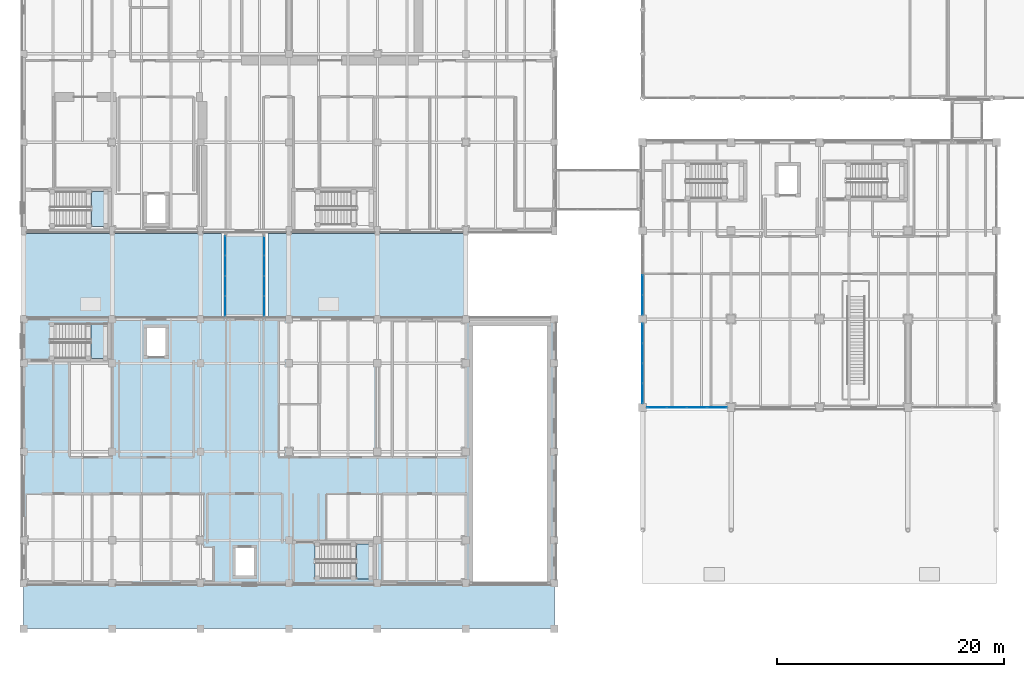
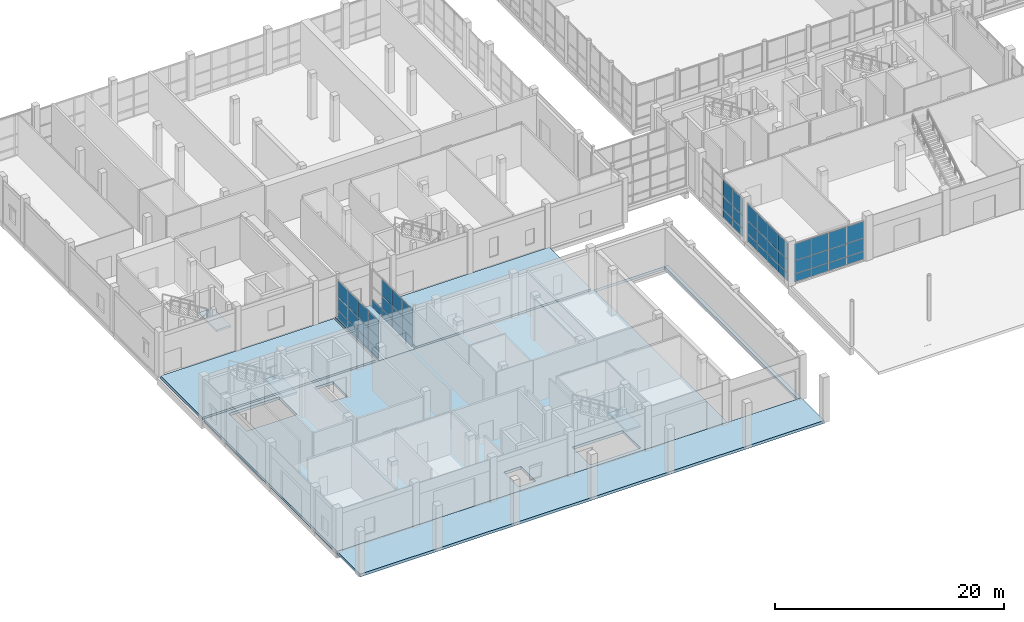
# One storey, part 71 of 131: 52 plates, 8 slabs, 8 elements without a shape of their own.
"""IFC4 building model written with IfcOpenShell, lengths in metres."""

import ifcopenshell
import ifcopenshell.guid

model = None  # the IFC model being written
_history = None  # IfcOwnerHistory: only IFC2X3 demands one
_inside = {}  # id of a spatial element -> (the spatial element, [elements in it])
_under = {}  # id of a project, library or spatial element -> (it, [spatial elements below it])
_declared = {}  # id of a project -> (the project, [libraries it declares])
_typed = {}  # id of a type object -> (the type object, [elements of that type])
_made_of = {}  # id of a material, layer set ... -> (it, [elements and type objects made of it])


def new_model(schema):
    """Start an empty IFC model of exactly this schema.

    Asked for "IFC4X3", IfcOpenShell would pick the latest addendum, in which some entities
    have other attributes; the version numbers below select the first issue.
    IFC2X3 requires an IfcOwnerHistory on every rooted entity: one is made here for all.
    """
    global model, _history
    if schema == "IFC4X3":
        model = ifcopenshell.file(schema_version=(4, 3, 0, 0))
    else:
        model = ifcopenshell.file(schema=schema)
    _inside.clear()
    _under.clear()
    _declared.clear()
    _typed.clear()
    _made_of.clear()
    _history = None
    if model.schema == "IFC2X3":
        org = make("IfcOrganization", Name="unknown")
        user = make(
            "IfcPersonAndOrganization",
            ThePerson=make("IfcPerson", FamilyName="unknown"),
            TheOrganization=org,
        )
        app = make(
            "IfcApplication",
            ApplicationDeveloper=org,
            Version="unknown",
            ApplicationFullName="unknown",
            ApplicationIdentifier="unknown",
        )
        _history = make(
            "IfcOwnerHistory",
            OwningUser=user,
            OwningApplication=app,
            ChangeAction="ADDED",
            CreationDate=0,
        )
    return model


def make(cls, **values):
    """One entity of the class cls with the attributes given. An attribute that is None is left unset."""
    return model.create_entity(
        cls, **{name: value for name, value in values.items() if value is not None}
    )


def rooted(cls, **values):
    """An entity with a GlobalId (a new one), such as an element, a storey or a relation."""
    return make(cls, GlobalId=ifcopenshell.guid.new(), OwnerHistory=_history, **values)


def si_unit(unit_type, name, prefix=None):
    """IfcSIUnit, for example si_unit("LENGTHUNIT", "METRE", prefix="MILLI")."""
    return make("IfcSIUnit", UnitType=unit_type, Prefix=prefix, Name=name)


def assignment(units):
    """IfcUnitAssignment: the units of a project."""
    return None if units is None else make("IfcUnitAssignment", Units=units)


def point(xyz):
    """IfcCartesianPoint."""
    return None if xyz is None else make("IfcCartesianPoint", Coordinates=xyz)


def direction(xyz):
    """IfcDirection."""
    return None if xyz is None else make("IfcDirection", DirectionRatios=xyz)


def frame(location, z_axis=None, x_axis=None):
    """IfcAxis2Placement3D, a coordinate frame: its origin and axes. An axis left out is left unset."""
    return make(
        "IfcAxis2Placement3D",
        Location=point(location),
        Axis=direction(z_axis),
        RefDirection=direction(x_axis),
    )


def frame_2d(location, x_axis=None):
    """IfcAxis2Placement2D, a coordinate frame in the plane: its origin and x axis."""
    return make(
        "IfcAxis2Placement2D", Location=point(location), RefDirection=direction(x_axis)
    )


def origin():
    """The frame at (0, 0, 0) with its axes left unset."""
    return frame((0.0, 0.0, 0.0))


def origin_2d():
    """The frame at (0, 0) in the plane with its x axis left unset."""
    return frame_2d((0.0, 0.0))


def place(relative_to, where):
    """IfcLocalPlacement: puts the frame where relative to a parent placement (None: the world)."""
    return make(
        "IfcLocalPlacement", PlacementRelTo=relative_to, RelativePlacement=where
    )


def context(
    kind, dimensions, precision=None, world=None, true_north=None, identifier=None
):
    """IfcGeometricRepresentationContext, for example the 3D "Model" context."""
    return make(
        "IfcGeometricRepresentationContext",
        ContextIdentifier=identifier,
        ContextType=kind,
        CoordinateSpaceDimension=dimensions,
        Precision=precision,
        WorldCoordinateSystem=world,
        TrueNorth=true_north,
    )


def subcontext(parent, identifier, kind, view, scale=None):
    """IfcGeometricRepresentationSubContext, for example "Body" below "Model"."""
    return make(
        "IfcGeometricRepresentationSubContext",
        ContextIdentifier=identifier,
        ContextType=kind,
        ParentContext=parent,
        TargetScale=scale,
        TargetView=view,
    )


def project(units=None, contexts=None):
    """IfcProject with its units and contexts."""
    return rooted(
        "IfcProject",
        Name="project",
        RepresentationContexts=contexts,
        UnitsInContext=assignment(units),
    )


def spatial(cls, under=None, at=None, **own):
    """A site, building, storey or space (cls), placed at a placement, below another one or the project."""
    s = rooted(cls, ObjectPlacement=at, **own)
    if under is not None:
        _under.setdefault(under.id(), (under, []))[1].append(s)
    return s


def polyline(points):
    """IfcPolyline through the points."""
    return make("IfcPolyline", Points=[point(p) for p in points])


def profile(cls, at=None, kind="AREA", **sizes):
    """A parametric profile (cls). Its sizes go by their IFC names, for example OverallWidth=200.0."""
    return make(cls, ProfileType=kind, Position=at, **sizes)


def rectangle(**sizes):
    """IfcRectangleProfileDef."""
    return profile("IfcRectangleProfileDef", **sizes)


def outline(outer, holes=None, kind="AREA"):
    """IfcArbitraryClosedProfileDef: a profile drawn as a closed curve; with holes, ...WithVoids."""
    if holes is None:
        return make("IfcArbitraryClosedProfileDef", ProfileType=kind, OuterCurve=outer)
    return make(
        "IfcArbitraryProfileDefWithVoids",
        ProfileType=kind,
        OuterCurve=outer,
        InnerCurves=holes,
    )


def extrude(swept, where, along, depth):
    """IfcExtrudedAreaSolid: the profile swept, set in the frame where, extruded along a direction by depth."""
    return make(
        "IfcExtrudedAreaSolid",
        SweptArea=swept,
        Position=where,
        ExtrudedDirection=direction(along),
        Depth=depth,
    )


def shape(context_of_items, identifier, shape_type, items):
    """IfcShapeRepresentation: the items that make up one representation, for example the "Body"."""
    return make(
        "IfcShapeRepresentation",
        ContextOfItems=context_of_items,
        RepresentationIdentifier=identifier,
        RepresentationType=shape_type,
        Items=items,
    )


def material(Name=None, Category=None):
    """IfcMaterial."""
    return make("IfcMaterial", Name=Name, Category=Category)


def layer(
    of_material, thickness, ventilated=None, Name=None, Category=None, Priority=None
):
    """IfcMaterialLayer: one layer of a wall or slab, of a material (None: an air gap)."""
    return make(
        "IfcMaterialLayer",
        Material=of_material,
        LayerThickness=thickness,
        IsVentilated=ventilated,
        Name=Name,
        Category=Category,
        Priority=Priority,
    )


def layer_set(layers, Name=None):
    """IfcMaterialLayerSet."""
    return make("IfcMaterialLayerSet", MaterialLayers=layers, LayerSetName=Name)


def made_of(thing, what):
    """Note that an element or type object is made of a material, layer set ...; save() writes the relation."""
    if what is not None:
        _made_of.setdefault(what.id(), (what, []))[1].append(thing)
    return thing


def type_object(cls, material=None, **own):
    """A type object (cls), such as IfcWallType, which elements share."""
    return made_of(rooted(cls, **own), material)


def element(
    cls,
    number,
    at=None,
    inside=None,
    cuts=None,
    type_object=None,
    material=None,
    context=None,
    identifier="Body",
    shape_type=None,
    held_by="IfcProductDefinitionShape",
    body=None,
    shapes=None,
    **own,
):
    """One element of the class cls, such as IfcWall. Its Tag is "e" and its number.

    at: its placement. inside: the storey or other place that contains it. cuts: it is an
    opening in that element (IfcRelVoidsElement). A single representation is given by context,
    identifier, shape_type and body (its items); several are given by shapes. held_by: the class
    of the entity that holds the representations. save() writes the other relations.
    """
    e = rooted(cls, Tag="e%d" % number, ObjectPlacement=at, **own)
    if body is not None:
        shapes = [shape(context, identifier, shape_type, body)]
    if shapes is not None:
        e.Representation = make(held_by, Representations=shapes)
    if inside is not None:
        _inside.setdefault(inside.id(), (inside, []))[1].append(e)
    if cuts is not None:
        rooted(
            "IfcRelVoidsElement", RelatingBuildingElement=cuts, RelatedOpeningElement=e
        )
    if type_object is not None:
        _typed.setdefault(type_object.id(), (type_object, []))[1].append(e)
    return made_of(e, material)


def aggregate(whole, parts):
    """IfcRelAggregates: a whole, such as a stair, and the parts it consists of."""
    return rooted("IfcRelAggregates", RelatingObject=whole, RelatedObjects=parts)


def save(model, path):
    """Write the relations noted so far, then the file.

    IfcRelAggregates (storeys below a building ...), IfcRelContainedInSpatialStructure (elements
    in a storey), IfcRelDefinesByType, IfcRelAssociatesMaterial and IfcRelDeclares: one each for
    every whole, place, type object, material and project.
    """
    for whole, parts in _under.values():
        aggregate(whole, parts)
    for where, things in _inside.values():
        rooted(
            "IfcRelContainedInSpatialStructure",
            RelatedElements=things,
            RelatingStructure=where,
        )
    for kind, things in _typed.values():
        rooted("IfcRelDefinesByType", RelatedObjects=things, RelatingType=kind)
    for what, things in _made_of.values():
        rooted("IfcRelAssociatesMaterial", RelatedObjects=things, RelatingMaterial=what)
    for by, libraries in _declared.values():
        rooted("IfcRelDeclares", RelatingContext=by, RelatedDefinitions=libraries)
    model.write(path)


model = new_model("IFC4")

# Units and contexts
model_context = context("Model", 3, precision=1e-05, world=origin(), true_north=direction((0.0, 1.0)))
body_context = subcontext(model_context, "Body", "Model", "MODEL_VIEW")
ifc_project = project(units=[si_unit("LENGTHUNIT", "METRE"), si_unit("AREAUNIT", "SQUARE_METRE"), si_unit("VOLUMEUNIT", "CUBIC_METRE"), si_unit("PLANEANGLEUNIT", "RADIAN"), si_unit("MASSUNIT", "GRAM", prefix="KILO")], contexts=[model_context])

# Site, building, storey
site_placement = place(None, origin())
site = spatial("IfcSite", under=ifc_project, at=site_placement, CompositionType="ELEMENT")
building_placement = place(site_placement, origin())
building = spatial("IfcBuilding", under=site, at=building_placement, Name="Celorna Specialist Clinic", CompositionType="ELEMENT")
storey_placement = place(building_placement, origin())
storey = spatial("IfcBuildingStorey", under=building, at=storey_placement, Name="L00", CompositionType="ELEMENT", Elevation=0.0)

# Curtain wall, plates
ifc_material_1 = material(Name="Thermally broken aluminium and solar-control glass curtain wall", Category="aluminium")
ifc_layer_1 = layer(ifc_material_1, 0.159912109375, Name="Thermally broken aluminium and solar-control glass curtain wall")
ifc_layer_set_1 = layer_set([ifc_layer_1], Name="Thermally broken aluminium and solar-control glass curtain wall")
curtain_wall_type_1 = type_object("IfcCurtainWallType", Name="CW-111", PredefinedType="NOTDEFINED", material=ifc_layer_set_1)
curtain_wall_1_placement = place(storey_placement, origin())
curtain_wall_1 = element("IfcCurtainWall", 1, at=curtain_wall_1_placement, inside=storey, type_object=curtain_wall_type_1, Name="Curtain wall CW-111 #198", PredefinedType="NOTDEFINED")
ifc_material_2 = material(Name="Low-e double glazing", Category="glass")
ifc_layer_2 = layer(ifc_material_2, 0.028076171875, Name="Low-e double glazing")
ifc_layer_set_2 = layer_set([ifc_layer_2], Name="Low-e double glazing")
plate_type_1 = type_object("IfcPlateType", Name="CPN-01", PredefinedType="CURTAIN_PANEL", material=ifc_layer_set_2)
plate_1_placement = place(storey_placement, frame((17.780029296875, 28.453857421875, 0.0498046875), z_axis=(0.0, 0.0, 1.0), x_axis=(0.0, 1.0, 0.0)))
plate_1 = element("IfcPlate", 2, at=plate_1_placement, type_object=plate_type_1, Name="CW-111 panel 1.1", PredefinedType="CURTAIN_PANEL", context=body_context, shape_type="SweptSolid", body=[
    extrude(rectangle(XDim=1.70751953125, YDim=0.028076171875, at=origin_2d()), origin(), (0.0, 0.0, 1.0), 0.824951171875),
])
plate_2_placement = place(storey_placement, frame((17.780029296875, 28.453857421875, 0.925048828125), z_axis=(0.0, 0.0, 1.0), x_axis=(0.0, 1.0, 0.0)))
plate_2 = element("IfcPlate", 3, at=plate_2_placement, type_object=plate_type_1, Name="CW-111 panel 1.2", PredefinedType="CURTAIN_PANEL", context=body_context, shape_type="SweptSolid", body=[
    extrude(rectangle(XDim=1.70751953125, YDim=0.028076171875, at=origin_2d()), origin(), (0.0, 0.0, 1.0), 1.35009765625),
])
plate_3_placement = place(storey_placement, frame((17.780029296875, 28.453857421875, 2.324951171875), z_axis=(0.0, 0.0, 1.0), x_axis=(0.0, 1.0, 0.0)))
plate_3 = element("IfcPlate", 4, at=plate_3_placement, type_object=plate_type_1, Name="CW-111 panel 1.3", PredefinedType="CURTAIN_PANEL", context=body_context, shape_type="SweptSolid", body=[
    extrude(rectangle(XDim=1.70751953125, YDim=0.028076171875, at=origin_2d()), origin(), (0.0, 0.0, 1.0), 1.7548828125),
])
plate_4_placement = place(storey_placement, frame((17.780029296875, 30.2236328125, 0.0498046875), z_axis=(0.0, 0.0, 1.0), x_axis=(0.0, 1.0, 0.0)))
plate_4 = element("IfcPlate", 5, at=plate_4_placement, type_object=plate_type_1, Name="CW-111 panel 2.1", PredefinedType="CURTAIN_PANEL", context=body_context, shape_type="SweptSolid", body=[
    extrude(rectangle(XDim=1.732421875, YDim=0.028076171875, at=origin_2d()), origin(), (0.0, 0.0, 1.0), 0.824951171875),
])
plate_5_placement = place(storey_placement, frame((17.780029296875, 30.2236328125, 0.925048828125), z_axis=(0.0, 0.0, 1.0), x_axis=(0.0, 1.0, 0.0)))
plate_5 = element("IfcPlate", 6, at=plate_5_placement, type_object=plate_type_1, Name="CW-111 panel 2.2", PredefinedType="CURTAIN_PANEL", context=body_context, shape_type="SweptSolid", body=[
    extrude(rectangle(XDim=1.732421875, YDim=0.028076171875, at=origin_2d()), origin(), (0.0, 0.0, 1.0), 1.35009765625),
])
plate_6_placement = place(storey_placement, frame((17.780029296875, 30.2236328125, 2.324951171875), z_axis=(0.0, 0.0, 1.0), x_axis=(0.0, 1.0, 0.0)))
plate_6 = element("IfcPlate", 7, at=plate_6_placement, type_object=plate_type_1, Name="CW-111 panel 2.3", PredefinedType="CURTAIN_PANEL", context=body_context, shape_type="SweptSolid", body=[
    extrude(rectangle(XDim=1.732421875, YDim=0.028076171875, at=origin_2d()), origin(), (0.0, 0.0, 1.0), 1.7548828125),
])
plate_7_placement = place(storey_placement, frame((17.780029296875, 32.00634765625, 0.0498046875), z_axis=(0.0, 0.0, 1.0), x_axis=(0.0, 1.0, 0.0)))
plate_7 = element("IfcPlate", 8, at=plate_7_placement, type_object=plate_type_1, Name="CW-111 panel 3.1", PredefinedType="CURTAIN_PANEL", context=body_context, shape_type="SweptSolid", body=[
    extrude(rectangle(XDim=1.732421875, YDim=0.028076171875, at=origin_2d()), origin(), (0.0, 0.0, 1.0), 0.824951171875),
])
plate_8_placement = place(storey_placement, frame((17.780029296875, 32.00634765625, 0.925048828125), z_axis=(0.0, 0.0, 1.0), x_axis=(0.0, 1.0, 0.0)))
plate_8 = element("IfcPlate", 9, at=plate_8_placement, type_object=plate_type_1, Name="CW-111 panel 3.2", PredefinedType="CURTAIN_PANEL", context=body_context, shape_type="SweptSolid", body=[
    extrude(rectangle(XDim=1.732421875, YDim=0.028076171875, at=origin_2d()), origin(), (0.0, 0.0, 1.0), 1.35009765625),
])
plate_9_placement = place(storey_placement, frame((17.780029296875, 32.00634765625, 2.324951171875), z_axis=(0.0, 0.0, 1.0), x_axis=(0.0, 1.0, 0.0)))
plate_9 = element("IfcPlate", 10, at=plate_9_placement, type_object=plate_type_1, Name="CW-111 panel 3.3", PredefinedType="CURTAIN_PANEL", context=body_context, shape_type="SweptSolid", body=[
    extrude(rectangle(XDim=1.732421875, YDim=0.028076171875, at=origin_2d()), origin(), (0.0, 0.0, 1.0), 1.7548828125),
])
plate_10_placement = place(storey_placement, frame((17.780029296875, 33.7763671875, 0.0498046875), z_axis=(0.0, 0.0, 1.0), x_axis=(0.0, 1.0, 0.0)))
plate_10 = element("IfcPlate", 11, at=plate_10_placement, type_object=plate_type_1, Name="CW-111 panel 4.1", PredefinedType="CURTAIN_PANEL", context=body_context, shape_type="SweptSolid", body=[
    extrude(rectangle(XDim=1.70751953125, YDim=0.028076171875, at=origin_2d()), origin(), (0.0, 0.0, 1.0), 0.824951171875),
])
plate_11_placement = place(storey_placement, frame((17.780029296875, 33.7763671875, 0.925048828125), z_axis=(0.0, 0.0, 1.0), x_axis=(0.0, 1.0, 0.0)))
plate_11 = element("IfcPlate", 12, at=plate_11_placement, type_object=plate_type_1, Name="CW-111 panel 4.2", PredefinedType="CURTAIN_PANEL", context=body_context, shape_type="SweptSolid", body=[
    extrude(rectangle(XDim=1.70751953125, YDim=0.028076171875, at=origin_2d()), origin(), (0.0, 0.0, 1.0), 1.35009765625),
])
plate_12_placement = place(storey_placement, frame((17.780029296875, 33.7763671875, 2.324951171875), z_axis=(0.0, 0.0, 1.0), x_axis=(0.0, 1.0, 0.0)))
plate_12 = element("IfcPlate", 13, at=plate_12_placement, type_object=plate_type_1, Name="CW-111 panel 4.3", PredefinedType="CURTAIN_PANEL", context=body_context, shape_type="SweptSolid", body=[
    extrude(rectangle(XDim=1.70751953125, YDim=0.028076171875, at=origin_2d()), origin(), (0.0, 0.0, 1.0), 1.7548828125),
])
aggregate(curtain_wall_1, [plate_1, plate_2, plate_3, plate_4, plate_5, plate_6, plate_7, plate_8, plate_9, plate_10, plate_11, plate_12])

curtain_wall_2_placement = place(storey_placement, origin())
curtain_wall_2 = element("IfcCurtainWall", 14, at=curtain_wall_2_placement, inside=storey, type_object=curtain_wall_type_1, Name="Curtain wall CW-111 #199", PredefinedType="NOTDEFINED")
plate_13_placement = place(storey_placement, frame((21.219970703125, 33.7763671875, 0.0498046875), z_axis=(0.0, 0.0, 1.0), x_axis=(0.0, -1.0, 0.0)))
plate_13 = element("IfcPlate", 15, at=plate_13_placement, type_object=plate_type_1, Name="CW-111 panel 1.1", PredefinedType="CURTAIN_PANEL", context=body_context, shape_type="SweptSolid", body=[
    extrude(rectangle(XDim=1.70751953125, YDim=0.028076171875, at=origin_2d()), origin(), (0.0, 0.0, 1.0), 0.824951171875),
])
plate_14_placement = place(storey_placement, frame((21.219970703125, 32.00634765625, 0.0498046875), z_axis=(0.0, 0.0, 1.0), x_axis=(0.0, -1.0, 0.0)))
plate_14 = element("IfcPlate", 16, at=plate_14_placement, type_object=plate_type_1, Name="CW-111 panel 2.1", PredefinedType="CURTAIN_PANEL", context=body_context, shape_type="SweptSolid", body=[
    extrude(rectangle(XDim=1.732421875, YDim=0.028076171875, at=origin_2d()), origin(), (0.0, 0.0, 1.0), 0.824951171875),
])
plate_15_placement = place(storey_placement, frame((21.219970703125, 32.00634765625, 0.925048828125), z_axis=(0.0, 0.0, 1.0), x_axis=(0.0, -1.0, 0.0)))
plate_15 = element("IfcPlate", 17, at=plate_15_placement, type_object=plate_type_1, Name="CW-111 panel 2.2", PredefinedType="CURTAIN_PANEL", context=body_context, shape_type="SweptSolid", body=[
    extrude(rectangle(XDim=1.732421875, YDim=0.028076171875, at=origin_2d()), origin(), (0.0, 0.0, 1.0), 1.35009765625),
])
plate_16_placement = place(storey_placement, frame((21.219970703125, 32.00634765625, 2.324951171875), z_axis=(0.0, 0.0, 1.0), x_axis=(0.0, -1.0, 0.0)))
plate_16 = element("IfcPlate", 18, at=plate_16_placement, type_object=plate_type_1, Name="CW-111 panel 2.3", PredefinedType="CURTAIN_PANEL", context=body_context, shape_type="SweptSolid", body=[
    extrude(rectangle(XDim=1.732421875, YDim=0.028076171875, at=origin_2d()), origin(), (0.0, 0.0, 1.0), 1.7548828125),
])
plate_17_placement = place(storey_placement, frame((21.219970703125, 30.2236328125, 0.0498046875), z_axis=(0.0, 0.0, 1.0), x_axis=(0.0, -1.0, 0.0)))
plate_17 = element("IfcPlate", 19, at=plate_17_placement, type_object=plate_type_1, Name="CW-111 panel 3.1", PredefinedType="CURTAIN_PANEL", context=body_context, shape_type="SweptSolid", body=[
    extrude(rectangle(XDim=1.732421875, YDim=0.028076171875, at=origin_2d()), origin(), (0.0, 0.0, 1.0), 0.824951171875),
])
plate_18_placement = place(storey_placement, frame((21.219970703125, 30.2236328125, 0.925048828125), z_axis=(0.0, 0.0, 1.0), x_axis=(0.0, -1.0, 0.0)))
plate_18 = element("IfcPlate", 20, at=plate_18_placement, type_object=plate_type_1, Name="CW-111 panel 3.2", PredefinedType="CURTAIN_PANEL", context=body_context, shape_type="SweptSolid", body=[
    extrude(rectangle(XDim=1.732421875, YDim=0.028076171875, at=origin_2d()), origin(), (0.0, 0.0, 1.0), 1.35009765625),
])
plate_19_placement = place(storey_placement, frame((21.219970703125, 30.2236328125, 2.324951171875), z_axis=(0.0, 0.0, 1.0), x_axis=(0.0, -1.0, 0.0)))
plate_19 = element("IfcPlate", 21, at=plate_19_placement, type_object=plate_type_1, Name="CW-111 panel 3.3", PredefinedType="CURTAIN_PANEL", context=body_context, shape_type="SweptSolid", body=[
    extrude(rectangle(XDim=1.732421875, YDim=0.028076171875, at=origin_2d()), origin(), (0.0, 0.0, 1.0), 1.7548828125),
])
plate_20_placement = place(storey_placement, frame((21.219970703125, 28.453857421875, 0.0498046875), z_axis=(0.0, 0.0, 1.0), x_axis=(0.0, -1.0, 0.0)))
plate_20 = element("IfcPlate", 22, at=plate_20_placement, type_object=plate_type_1, Name="CW-111 panel 4.1", PredefinedType="CURTAIN_PANEL", context=body_context, shape_type="SweptSolid", body=[
    extrude(rectangle(XDim=1.70751953125, YDim=0.028076171875, at=origin_2d()), origin(), (0.0, 0.0, 1.0), 0.824951171875),
])
plate_21_placement = place(storey_placement, frame((21.219970703125, 28.453857421875, 0.925048828125), z_axis=(0.0, 0.0, 1.0), x_axis=(0.0, -1.0, 0.0)))
plate_21 = element("IfcPlate", 23, at=plate_21_placement, type_object=plate_type_1, Name="CW-111 panel 4.2", PredefinedType="CURTAIN_PANEL", context=body_context, shape_type="SweptSolid", body=[
    extrude(rectangle(XDim=1.70751953125, YDim=0.028076171875, at=origin_2d()), origin(), (0.0, 0.0, 1.0), 1.35009765625),
])
plate_22_placement = place(storey_placement, frame((21.219970703125, 28.453857421875, 2.324951171875), z_axis=(0.0, 0.0, 1.0), x_axis=(0.0, -1.0, 0.0)))
plate_22 = element("IfcPlate", 24, at=plate_22_placement, type_object=plate_type_1, Name="CW-111 panel 4.3", PredefinedType="CURTAIN_PANEL", context=body_context, shape_type="SweptSolid", body=[
    extrude(rectangle(XDim=1.70751953125, YDim=0.028076171875, at=origin_2d()), origin(), (0.0, 0.0, 1.0), 1.7548828125),
])
aggregate(curtain_wall_2, [plate_13, plate_14, plate_15, plate_16, plate_17, plate_18, plate_19, plate_20, plate_21, plate_22])

ifc_layer_3 = layer(ifc_material_1, 0.159912109375, Name="Thermally broken aluminium and solar-control glass curtain wall")
ifc_layer_set_3 = layer_set([ifc_layer_3], Name="Thermally broken aluminium and solar-control glass curtain wall")
curtain_wall_type_2 = type_object("IfcCurtainWallType", Name="CW-102", PredefinedType="NOTDEFINED", material=ifc_layer_set_3)
curtain_wall_3_placement = place(storey_placement, origin())
curtain_wall_3 = element("IfcCurtainWall", 25, at=curtain_wall_3_placement, inside=storey, type_object=curtain_wall_type_2, Name="Curtain wall CW-102 #179", PredefinedType="NOTDEFINED")
ifc_material_3 = material(Name="Solar-control triple glazing", Category="glass")
ifc_layer_4 = layer(ifc_material_3, 0.035888671875, Name="Solar-control triple glazing")
ifc_layer_set_4 = layer_set([ifc_layer_4], Name="Solar-control triple glazing")
plate_type_2 = type_object("IfcPlateType", Name="CPN-02", PredefinedType="CURTAIN_PANEL", material=ifc_layer_set_4)
plate_23_placement = place(storey_placement, frame((61.14697265625, 19.5, 0.0498046875), z_axis=(0.0, 0.0, 1.0), x_axis=(-1.0, 0.0, 0.0)))
plate_23 = element("IfcPlate", 26, at=plate_23_placement, type_object=plate_type_2, Name="CW-102 panel 1.1", PredefinedType="CURTAIN_PANEL", context=body_context, shape_type="SweptSolid", body=[
    extrude(rectangle(XDim=1.697998046875, YDim=0.035888671875, at=origin_2d()), origin(), (0.0, 0.0, 1.0), 0.824951171875),
])
plate_24_placement = place(storey_placement, frame((61.14697265625, 19.5, 0.925048828125), z_axis=(0.0, 0.0, 1.0), x_axis=(-1.0, 0.0, 0.0)))
plate_24 = element("IfcPlate", 27, at=plate_24_placement, type_object=plate_type_2, Name="CW-102 panel 1.2", PredefinedType="CURTAIN_PANEL", context=body_context, shape_type="SweptSolid", body=[
    extrude(rectangle(XDim=1.697998046875, YDim=0.035888671875, at=origin_2d()), origin(), (0.0, 0.0, 1.0), 1.35009765625),
])
plate_25_placement = place(storey_placement, frame((61.14697265625, 19.5, 2.3251953125), z_axis=(0.0, 0.0, 1.0), x_axis=(-1.0, 0.0, 0.0)))
plate_25 = element("IfcPlate", 28, at=plate_25_placement, type_object=plate_type_2, Name="CW-102 panel 1.3", PredefinedType="CURTAIN_PANEL", context=body_context, shape_type="SweptSolid", body=[
    extrude(rectangle(XDim=1.697998046875, YDim=0.035888671875, at=origin_2d()), origin(), (0.0, 0.0, 1.0), 1.764892578125),
])
plate_26_placement = place(storey_placement, frame((59.386474609375, 19.5, 0.0498046875), z_axis=(0.0, 0.0, 1.0), x_axis=(-1.0, 0.0, 0.0)))
plate_26 = element("IfcPlate", 29, at=plate_26_placement, type_object=plate_type_2, Name="CW-102 panel 2.1", PredefinedType="CURTAIN_PANEL", context=body_context, shape_type="SweptSolid", body=[
    extrude(rectangle(XDim=1.722900390625, YDim=0.035888671875, at=origin_2d()), origin(), (0.0, 0.0, 1.0), 0.824951171875),
])
plate_27_placement = place(storey_placement, frame((59.386474609375, 19.5, 0.925048828125), z_axis=(0.0, 0.0, 1.0), x_axis=(-1.0, 0.0, 0.0)))
plate_27 = element("IfcPlate", 30, at=plate_27_placement, type_object=plate_type_2, Name="CW-102 panel 2.2", PredefinedType="CURTAIN_PANEL", context=body_context, shape_type="SweptSolid", body=[
    extrude(rectangle(XDim=1.722900390625, YDim=0.035888671875, at=origin_2d()), origin(), (0.0, 0.0, 1.0), 1.35009765625),
])
plate_28_placement = place(storey_placement, frame((59.386474609375, 19.5, 2.3251953125), z_axis=(0.0, 0.0, 1.0), x_axis=(-1.0, 0.0, 0.0)))
plate_28 = element("IfcPlate", 31, at=plate_28_placement, type_object=plate_type_2, Name="CW-102 panel 2.3", PredefinedType="CURTAIN_PANEL", context=body_context, shape_type="SweptSolid", body=[
    extrude(rectangle(XDim=1.722900390625, YDim=0.035888671875, at=origin_2d()), origin(), (0.0, 0.0, 1.0), 1.764892578125),
])
plate_29_placement = place(storey_placement, frame((57.613525390625, 19.5, 0.0498046875), z_axis=(0.0, 0.0, 1.0), x_axis=(-1.0, 0.0, 0.0)))
plate_29 = element("IfcPlate", 32, at=plate_29_placement, type_object=plate_type_2, Name="CW-102 panel 3.1", PredefinedType="CURTAIN_PANEL", context=body_context, shape_type="SweptSolid", body=[
    extrude(rectangle(XDim=1.722900390625, YDim=0.035888671875, at=origin_2d()), origin(), (0.0, 0.0, 1.0), 0.824951171875),
])
plate_30_placement = place(storey_placement, frame((57.613525390625, 19.5, 0.925048828125), z_axis=(0.0, 0.0, 1.0), x_axis=(-1.0, 0.0, 0.0)))
plate_30 = element("IfcPlate", 33, at=plate_30_placement, type_object=plate_type_2, Name="CW-102 panel 3.2", PredefinedType="CURTAIN_PANEL", context=body_context, shape_type="SweptSolid", body=[
    extrude(rectangle(XDim=1.722900390625, YDim=0.035888671875, at=origin_2d()), origin(), (0.0, 0.0, 1.0), 1.35009765625),
])
plate_31_placement = place(storey_placement, frame((57.613525390625, 19.5, 2.3251953125), z_axis=(0.0, 0.0, 1.0), x_axis=(-1.0, 0.0, 0.0)))
plate_31 = element("IfcPlate", 34, at=plate_31_placement, type_object=plate_type_2, Name="CW-102 panel 3.3", PredefinedType="CURTAIN_PANEL", context=body_context, shape_type="SweptSolid", body=[
    extrude(rectangle(XDim=1.722900390625, YDim=0.035888671875, at=origin_2d()), origin(), (0.0, 0.0, 1.0), 1.764892578125),
])
plate_32_placement = place(storey_placement, frame((55.85302734375, 19.5, 0.0498046875), z_axis=(0.0, 0.0, 1.0), x_axis=(-1.0, 0.0, 0.0)))
plate_32 = element("IfcPlate", 35, at=plate_32_placement, type_object=plate_type_2, Name="CW-102 panel 4.1", PredefinedType="CURTAIN_PANEL", context=body_context, shape_type="SweptSolid", body=[
    extrude(rectangle(XDim=1.697998046875, YDim=0.035888671875, at=origin_2d()), origin(), (0.0, 0.0, 1.0), 0.824951171875),
])
plate_33_placement = place(storey_placement, frame((55.85302734375, 19.5, 0.925048828125), z_axis=(0.0, 0.0, 1.0), x_axis=(-1.0, 0.0, 0.0)))
plate_33 = element("IfcPlate", 36, at=plate_33_placement, type_object=plate_type_2, Name="CW-102 panel 4.2", PredefinedType="CURTAIN_PANEL", context=body_context, shape_type="SweptSolid", body=[
    extrude(rectangle(XDim=1.697998046875, YDim=0.035888671875, at=origin_2d()), origin(), (0.0, 0.0, 1.0), 1.35009765625),
])
plate_34_placement = place(storey_placement, frame((55.85302734375, 19.5, 2.3251953125), z_axis=(0.0, 0.0, 1.0), x_axis=(-1.0, 0.0, 0.0)))
plate_34 = element("IfcPlate", 37, at=plate_34_placement, type_object=plate_type_2, Name="CW-102 panel 4.3", PredefinedType="CURTAIN_PANEL", context=body_context, shape_type="SweptSolid", body=[
    extrude(rectangle(XDim=1.697998046875, YDim=0.035888671875, at=origin_2d()), origin(), (0.0, 0.0, 1.0), 1.764892578125),
])
aggregate(curtain_wall_3, [plate_23, plate_24, plate_25, plate_26, plate_27, plate_28, plate_29, plate_30, plate_31, plate_32, plate_33, plate_34])

curtain_wall_4_placement = place(storey_placement, origin())
curtain_wall_4 = element("IfcCurtainWall", 38, at=curtain_wall_4_placement, inside=storey, type_object=curtain_wall_type_2, Name="Curtain wall CW-102 #181", PredefinedType="NOTDEFINED")
plate_35_placement = place(storey_placement, frame((54.60009765625, 20.7529296875, 0.0498046875), z_axis=(0.0, 0.0, 1.0), x_axis=(0.0, 1.0, 0.0)))
plate_35 = element("IfcPlate", 39, at=plate_35_placement, type_object=plate_type_2, Name="CW-102 panel 1.1", PredefinedType="CURTAIN_PANEL", context=body_context, shape_type="SweptSolid", body=[
    extrude(rectangle(XDim=1.697998046875, YDim=0.035888671875, at=origin_2d()), origin(), (0.0, 0.0, 1.0), 0.824951171875),
])
plate_36_placement = place(storey_placement, frame((54.60009765625, 20.7529296875, 0.925048828125), z_axis=(0.0, 0.0, 1.0), x_axis=(0.0, 1.0, 0.0)))
plate_36 = element("IfcPlate", 40, at=plate_36_placement, type_object=plate_type_2, Name="CW-102 panel 1.2", PredefinedType="CURTAIN_PANEL", context=body_context, shape_type="SweptSolid", body=[
    extrude(rectangle(XDim=1.697998046875, YDim=0.035888671875, at=origin_2d()), origin(), (0.0, 0.0, 1.0), 1.35009765625),
])
plate_37_placement = place(storey_placement, frame((54.60009765625, 20.7529296875, 2.3251953125), z_axis=(0.0, 0.0, 1.0), x_axis=(0.0, 1.0, 0.0)))
plate_37 = element("IfcPlate", 41, at=plate_37_placement, type_object=plate_type_2, Name="CW-102 panel 1.3", PredefinedType="CURTAIN_PANEL", context=body_context, shape_type="SweptSolid", body=[
    extrude(rectangle(XDim=1.697998046875, YDim=0.035888671875, at=origin_2d()), origin(), (0.0, 0.0, 1.0), 1.764892578125),
])
plate_38_placement = place(storey_placement, frame((54.60009765625, 22.513427734375, 0.0498046875), z_axis=(0.0, 0.0, 1.0), x_axis=(0.0, 1.0, 0.0)))
plate_38 = element("IfcPlate", 42, at=plate_38_placement, type_object=plate_type_2, Name="CW-102 panel 2.1", PredefinedType="CURTAIN_PANEL", context=body_context, shape_type="SweptSolid", body=[
    extrude(rectangle(XDim=1.722900390625, YDim=0.035888671875, at=origin_2d()), origin(), (0.0, 0.0, 1.0), 0.824951171875),
])
plate_39_placement = place(storey_placement, frame((54.60009765625, 22.513427734375, 0.925048828125), z_axis=(0.0, 0.0, 1.0), x_axis=(0.0, 1.0, 0.0)))
plate_39 = element("IfcPlate", 43, at=plate_39_placement, type_object=plate_type_2, Name="CW-102 panel 2.2", PredefinedType="CURTAIN_PANEL", context=body_context, shape_type="SweptSolid", body=[
    extrude(rectangle(XDim=1.722900390625, YDim=0.035888671875, at=origin_2d()), origin(), (0.0, 0.0, 1.0), 1.35009765625),
])
plate_40_placement = place(storey_placement, frame((54.60009765625, 22.513427734375, 2.3251953125), z_axis=(0.0, 0.0, 1.0), x_axis=(0.0, 1.0, 0.0)))
plate_40 = element("IfcPlate", 44, at=plate_40_placement, type_object=plate_type_2, Name="CW-102 panel 2.3", PredefinedType="CURTAIN_PANEL", context=body_context, shape_type="SweptSolid", body=[
    extrude(rectangle(XDim=1.722900390625, YDim=0.035888671875, at=origin_2d()), origin(), (0.0, 0.0, 1.0), 1.764892578125),
])
plate_41_placement = place(storey_placement, frame((54.60009765625, 24.28662109375, 0.0498046875), z_axis=(0.0, 0.0, 1.0), x_axis=(0.0, 1.0, 0.0)))
plate_41 = element("IfcPlate", 45, at=plate_41_placement, type_object=plate_type_2, Name="CW-102 panel 3.1", PredefinedType="CURTAIN_PANEL", context=body_context, shape_type="SweptSolid", body=[
    extrude(rectangle(XDim=1.722900390625, YDim=0.035888671875, at=origin_2d()), origin(), (0.0, 0.0, 1.0), 0.824951171875),
])
plate_42_placement = place(storey_placement, frame((54.60009765625, 24.28662109375, 0.925048828125), z_axis=(0.0, 0.0, 1.0), x_axis=(0.0, 1.0, 0.0)))
plate_42 = element("IfcPlate", 46, at=plate_42_placement, type_object=plate_type_2, Name="CW-102 panel 3.2", PredefinedType="CURTAIN_PANEL", context=body_context, shape_type="SweptSolid", body=[
    extrude(rectangle(XDim=1.722900390625, YDim=0.035888671875, at=origin_2d()), origin(), (0.0, 0.0, 1.0), 1.35009765625),
])
plate_43_placement = place(storey_placement, frame((54.60009765625, 24.28662109375, 2.3251953125), z_axis=(0.0, 0.0, 1.0), x_axis=(0.0, 1.0, 0.0)))
plate_43 = element("IfcPlate", 47, at=plate_43_placement, type_object=plate_type_2, Name="CW-102 panel 3.3", PredefinedType="CURTAIN_PANEL", context=body_context, shape_type="SweptSolid", body=[
    extrude(rectangle(XDim=1.722900390625, YDim=0.035888671875, at=origin_2d()), origin(), (0.0, 0.0, 1.0), 1.764892578125),
])
plate_44_placement = place(storey_placement, frame((54.60009765625, 26.047119140625, 0.0498046875), z_axis=(0.0, 0.0, 1.0), x_axis=(0.0, 1.0, 0.0)))
plate_44 = element("IfcPlate", 48, at=plate_44_placement, type_object=plate_type_2, Name="CW-102 panel 4.1", PredefinedType="CURTAIN_PANEL", context=body_context, shape_type="SweptSolid", body=[
    extrude(rectangle(XDim=1.697998046875, YDim=0.035888671875, at=origin_2d()), origin(), (0.0, 0.0, 1.0), 0.824951171875),
])
plate_45_placement = place(storey_placement, frame((54.60009765625, 26.047119140625, 0.925048828125), z_axis=(0.0, 0.0, 1.0), x_axis=(0.0, 1.0, 0.0)))
plate_45 = element("IfcPlate", 49, at=plate_45_placement, type_object=plate_type_2, Name="CW-102 panel 4.2", PredefinedType="CURTAIN_PANEL", context=body_context, shape_type="SweptSolid", body=[
    extrude(rectangle(XDim=1.697998046875, YDim=0.035888671875, at=origin_2d()), origin(), (0.0, 0.0, 1.0), 1.35009765625),
])
plate_46_placement = place(storey_placement, frame((54.60009765625, 26.047119140625, 2.3251953125), z_axis=(0.0, 0.0, 1.0), x_axis=(0.0, 1.0, 0.0)))
plate_46 = element("IfcPlate", 50, at=plate_46_placement, type_object=plate_type_2, Name="CW-102 panel 4.3", PredefinedType="CURTAIN_PANEL", context=body_context, shape_type="SweptSolid", body=[
    extrude(rectangle(XDim=1.697998046875, YDim=0.035888671875, at=origin_2d()), origin(), (0.0, 0.0, 1.0), 1.764892578125),
])
aggregate(curtain_wall_4, [plate_35, plate_36, plate_37, plate_38, plate_39, plate_40, plate_41, plate_42, plate_43, plate_44, plate_45, plate_46])

ifc_layer_5 = layer(ifc_material_1, 0.159912109375, Name="Thermally broken aluminium and solar-control glass curtain wall")
ifc_layer_set_5 = layer_set([ifc_layer_5], Name="Thermally broken aluminium and solar-control glass curtain wall")
curtain_wall_type_3 = type_object("IfcCurtainWallType", Name="CW-103", PredefinedType="NOTDEFINED", material=ifc_layer_set_5)
curtain_wall_5_placement = place(storey_placement, origin())
curtain_wall_5 = element("IfcCurtainWall", 51, at=curtain_wall_5_placement, inside=storey, type_object=curtain_wall_type_3, Name="Curtain wall CW-103 #182", PredefinedType="NOTDEFINED")
ifc_material_4 = material(Name="Glazed polychrome ceramic insulated spandrel")
ifc_layer_6 = layer(ifc_material_4, 0.0439453125, Name="Glazed polychrome ceramic insulated spandrel")
ifc_layer_set_6 = layer_set([ifc_layer_6], Name="Glazed polychrome ceramic insulated spandrel")
plate_type_3 = type_object("IfcPlateType", Name="CPN-03", PredefinedType="CURTAIN_PANEL", material=ifc_layer_set_6)
plate_47_placement = place(storey_placement, frame((54.60009765625, 28.552978515625, 0.0498046875), z_axis=(0.0, 0.0, 1.0), x_axis=(0.0, 1.0, 0.0)))
plate_47 = element("IfcPlate", 52, at=plate_47_placement, type_object=plate_type_3, Name="CW-103 panel 1.1", PredefinedType="CURTAIN_PANEL", context=body_context, shape_type="SweptSolid", body=[
    extrude(rectangle(XDim=1.697998046875, YDim=0.0439453125, at=origin_2d()), origin(), (0.0, 0.0, 1.0), 0.824951171875),
])
plate_48_placement = place(storey_placement, frame((54.60009765625, 28.552978515625, 0.925048828125), z_axis=(0.0, 0.0, 1.0), x_axis=(0.0, 1.0, 0.0)))
plate_48 = element("IfcPlate", 53, at=plate_48_placement, type_object=plate_type_3, Name="CW-103 panel 1.2", PredefinedType="CURTAIN_PANEL", context=body_context, shape_type="SweptSolid", body=[
    extrude(rectangle(XDim=1.697998046875, YDim=0.0439453125, at=origin_2d()), origin(), (0.0, 0.0, 1.0), 1.35009765625),
])
plate_49_placement = place(storey_placement, frame((54.60009765625, 28.552978515625, 2.3251953125), z_axis=(0.0, 0.0, 1.0), x_axis=(0.0, 1.0, 0.0)))
plate_49 = element("IfcPlate", 54, at=plate_49_placement, type_object=plate_type_3, Name="CW-103 panel 1.3", PredefinedType="CURTAIN_PANEL", context=body_context, shape_type="SweptSolid", body=[
    extrude(rectangle(XDim=1.697998046875, YDim=0.0439453125, at=origin_2d()), origin(), (0.0, 0.0, 1.0), 1.764892578125),
])
plate_50_placement = place(storey_placement, frame((54.60009765625, 30.3134765625, 0.0498046875), z_axis=(0.0, 0.0, 1.0), x_axis=(0.0, 1.0, 0.0)))
plate_50 = element("IfcPlate", 55, at=plate_50_placement, type_object=plate_type_3, Name="CW-103 panel 2.1", PredefinedType="CURTAIN_PANEL", context=body_context, shape_type="SweptSolid", body=[
    extrude(rectangle(XDim=1.722900390625, YDim=0.0439453125, at=origin_2d()), origin(), (0.0, 0.0, 1.0), 0.824951171875),
])
plate_51_placement = place(storey_placement, frame((54.60009765625, 30.3134765625, 0.925048828125), z_axis=(0.0, 0.0, 1.0), x_axis=(0.0, 1.0, 0.0)))
plate_51 = element("IfcPlate", 56, at=plate_51_placement, type_object=plate_type_3, Name="CW-103 panel 2.2", PredefinedType="CURTAIN_PANEL", context=body_context, shape_type="SweptSolid", body=[
    extrude(rectangle(XDim=1.722900390625, YDim=0.0439453125, at=origin_2d()), origin(), (0.0, 0.0, 1.0), 1.35009765625),
])
plate_52_placement = place(storey_placement, frame((54.60009765625, 30.3134765625, 2.3251953125), z_axis=(0.0, 0.0, 1.0), x_axis=(0.0, 1.0, 0.0)))
plate_52 = element("IfcPlate", 57, at=plate_52_placement, type_object=plate_type_3, Name="CW-103 panel 2.3", PredefinedType="CURTAIN_PANEL", context=body_context, shape_type="SweptSolid", body=[
    extrude(rectangle(XDim=1.722900390625, YDim=0.0439453125, at=origin_2d()), origin(), (0.0, 0.0, 1.0), 1.764892578125),
])
aggregate(curtain_wall_5, [plate_47, plate_48, plate_49, plate_50, plate_51, plate_52])

# Slabs
ifc_material_5 = material(Name="Concrete C35/45", Category="concrete")
ifc_layer_7 = layer(ifc_material_5, 0.419921875, Name="Concrete C35/45")
ifc_layer_set_7 = layer_set([ifc_layer_7], Name="Concrete C35/45")
slab_type_1 = type_object("IfcSlabType", Name="SL-03", PredefinedType="BASESLAB", material=ifc_layer_set_7)
slab_1_placement = place(storey_placement, frame((0.0, 0.0, -0.300048828125)))
element("IfcSlab", 58, at=slab_1_placement, inside=storey, type_object=slab_type_1, Name="Exterior courtyard plaza slab APR-SOUTH-V5", PredefinedType="BASESLAB", context=body_context, shape_type="SweptSolid", body=[
    extrude(outline(polyline([(0.0, 0.0), (46.800048828125, 0.0), (46.800048828125, 3.989990234375), (0.0, 3.989990234375), (0.0, 0.0)])), origin(), (0.0, 0.0, 1.0), 0.300048828125),
])
slab_2_placement = place(storey_placement, frame((0.0, 0.0, -0.300048828125)))
element("IfcSlab", 59, at=slab_2_placement, inside=storey, type_object=slab_type_1, Name="Exterior courtyard plaza slab APR-COURT-WEST-L", PredefinedType="BASESLAB", context=body_context, shape_type="SweptSolid", body=[
    extrude(outline(polyline([(0.0, 27.550048828125), (17.449951171875, 27.550048828125), (17.449951171875, 34.85009765625), (0.0, 34.85009765625), (0.0, 27.550048828125)])), origin(), (0.0, 0.0, 1.0), 0.300048828125),
])
slab_3_placement = place(storey_placement, frame((0.0, 0.0, -0.300048828125)))
element("IfcSlab", 60, at=slab_3_placement, inside=storey, type_object=slab_type_1, Name="Exterior courtyard plaza slab APR-COURT-WEST-R", PredefinedType="BASESLAB", context=body_context, shape_type="SweptSolid", body=[
    extrude(outline(polyline([(21.550048828125, 27.550048828125), (39.199951171875, 27.550048828125), (39.199951171875, 34.85009765625), (21.550048828125, 34.85009765625), (21.550048828125, 27.550048828125)])), origin(), (0.0, 0.0, 1.0), 0.300048828125),
])
ifc_layer_8 = layer(ifc_material_5, 0.300048828125, Name="Concrete C35/45")
ifc_layer_set_8 = layer_set([ifc_layer_8], Name="Concrete C35/45")
slab_type_2 = type_object("IfcSlabType", Name="SL-06", PredefinedType="FLOOR", material=ifc_layer_set_8)
slab_4_placement = place(storey_placement, frame((0.0, 0.0, -0.300048828125)))
element("IfcSlab", 61, at=slab_4_placement, inside=storey, type_object=slab_type_2, Name="V5 L00 structural slab SL-06", PredefinedType="FLOOR", context=body_context, shape_type="SweptSolid", body=[
    extrude(outline(polyline([(46.800048828125, 4.0), (46.800048828125, 27.300048828125), (0.0, 27.300048828125), (0.0, 4.0), (46.800048828125, 4.0)]), holes=[polyline([(2.31005859375, 23.820068359375), (7.409912109375, 23.820068359375), (7.409912109375, 26.919921875), (2.31005859375, 26.919921875), (2.31005859375, 23.820068359375)]), polyline([(25.7099609375, 4.3798828125), (30.81005859375, 4.3798828125), (30.81005859375, 7.47998046875), (25.7099609375, 7.47998046875), (25.7099609375, 4.3798828125)]), polyline([(10.794921875, 23.9951171875), (12.60498046875, 23.9951171875), (12.60498046875, 26.60498046875), (10.794921875, 26.60498046875), (10.794921875, 23.9951171875)]), polyline([(18.6201171875, 4.6201171875), (20.3798828125, 4.6201171875), (20.3798828125, 7.179931640625), (18.6201171875, 7.179931640625), (18.6201171875, 4.6201171875)]), polyline([(39.35009765625, 4.02001953125), (46.449951171875, 4.02001953125), (46.449951171875, 27.280029296875), (39.35009765625, 27.280029296875), (39.35009765625, 4.02001953125)])]), origin(), (0.0, 0.0, 1.0), 0.300048828125),
])
ifc_layer_9 = layer(ifc_material_5, 0.219970703125, Name="Concrete C35/45")
ifc_layer_set_9 = layer_set([ifc_layer_9], Name="Concrete C35/45")
slab_type_3 = type_object("IfcSlabType", Name="SL-10", PredefinedType="FLOOR", material=ifc_layer_set_9)
slab_5_placement = place(storey_placement, frame((0.0, 0.0, -0.219970703125)))
element("IfcSlab", 62, at=slab_5_placement, inside=storey, type_object=slab_type_3, Name="Cloister bridge BR-01 L00 deck", PredefinedType="FLOOR", context=body_context, shape_type="SweptSolid", body=[
    extrude(outline(polyline([(17.699951171875, 27.300048828125), (21.300048828125, 27.300048828125), (21.300048828125, 35.02001953125), (17.699951171875, 35.02001953125), (17.699951171875, 27.300048828125)])), origin(), (0.0, 0.0, 1.0), 0.219970703125),
])

# Stair, slab
stair_type = type_object("IfcStairType", Name="ST-02", PredefinedType="HALF_TURN_STAIR", material=ifc_material_5)
stair_1_placement = place(storey_placement, origin())
stair_1 = element("IfcStair", 63, at=stair_1_placement, inside=storey, type_object=stair_type, Name="L00 Protected exit stair ST-04", PredefinedType="HALF_TURN_STAIR")
ifc_layer_10 = layer(ifc_material_5, 0.199951171875, Name="Concrete C35/45")
ifc_layer_set_10 = layer_set([ifc_layer_10], Name="Concrete C35/45")
slab_type_4 = type_object("IfcSlabType", Name="SL-11", PredefinedType="LANDING", material=ifc_layer_set_10)
slab_6_placement = place(storey_placement, frame((0.0, 0.0, 2.199951171875)))
slab_6 = element("IfcSlab", 64, at=slab_6_placement, type_object=slab_type_4, Name="ST-04 landing 1", PredefinedType="LANDING", context=body_context, shape_type="SweptSolid", body=[
    extrude(outline(polyline([(5.949951171875, 23.820068359375), (7.409912109375, 23.820068359375), (7.409912109375, 26.919921875), (5.949951171875, 26.919921875), (5.949951171875, 23.820068359375)])), origin(), (0.0, 0.0, 1.0), 0.199951171875),
])
aggregate(stair_1, [slab_6])

stair_2_placement = place(storey_placement, origin())
stair_2 = element("IfcStair", 65, at=stair_2_placement, inside=storey, type_object=stair_type, Name="L00 Protected exit stair ST-05", PredefinedType="HALF_TURN_STAIR")
slab_7_placement = place(storey_placement, frame((0.0, 0.0, 2.199951171875)))
slab_7 = element("IfcSlab", 66, at=slab_7_placement, type_object=slab_type_4, Name="ST-05 landing 1", PredefinedType="LANDING", context=body_context, shape_type="SweptSolid", body=[
    extrude(outline(polyline([(29.35009765625, 4.3798828125), (30.81005859375, 4.3798828125), (30.81005859375, 7.47998046875), (29.35009765625, 7.47998046875), (29.35009765625, 4.3798828125)])), origin(), (0.0, 0.0, 1.0), 0.199951171875),
])
aggregate(stair_2, [slab_7])

stair_3_placement = place(storey_placement, origin())
stair_3 = element("IfcStair", 67, at=stair_3_placement, inside=storey, type_object=stair_type, Name="L00 Protected exit stair ST-06", PredefinedType="HALF_TURN_STAIR")
slab_8_placement = place(storey_placement, frame((0.0, 0.0, 2.199951171875)))
slab_8 = element("IfcSlab", 68, at=slab_8_placement, type_object=slab_type_4, Name="ST-06 landing 1", PredefinedType="LANDING", context=body_context, shape_type="SweptSolid", body=[
    extrude(outline(polyline([(5.97998046875, 35.47998046875), (7.43994140625, 35.47998046875), (7.43994140625, 38.580078125), (5.97998046875, 38.580078125), (5.97998046875, 35.47998046875)])), origin(), (0.0, 0.0, 1.0), 0.199951171875),
])
aggregate(stair_3, [slab_8])

save(model, "model.ifc")
